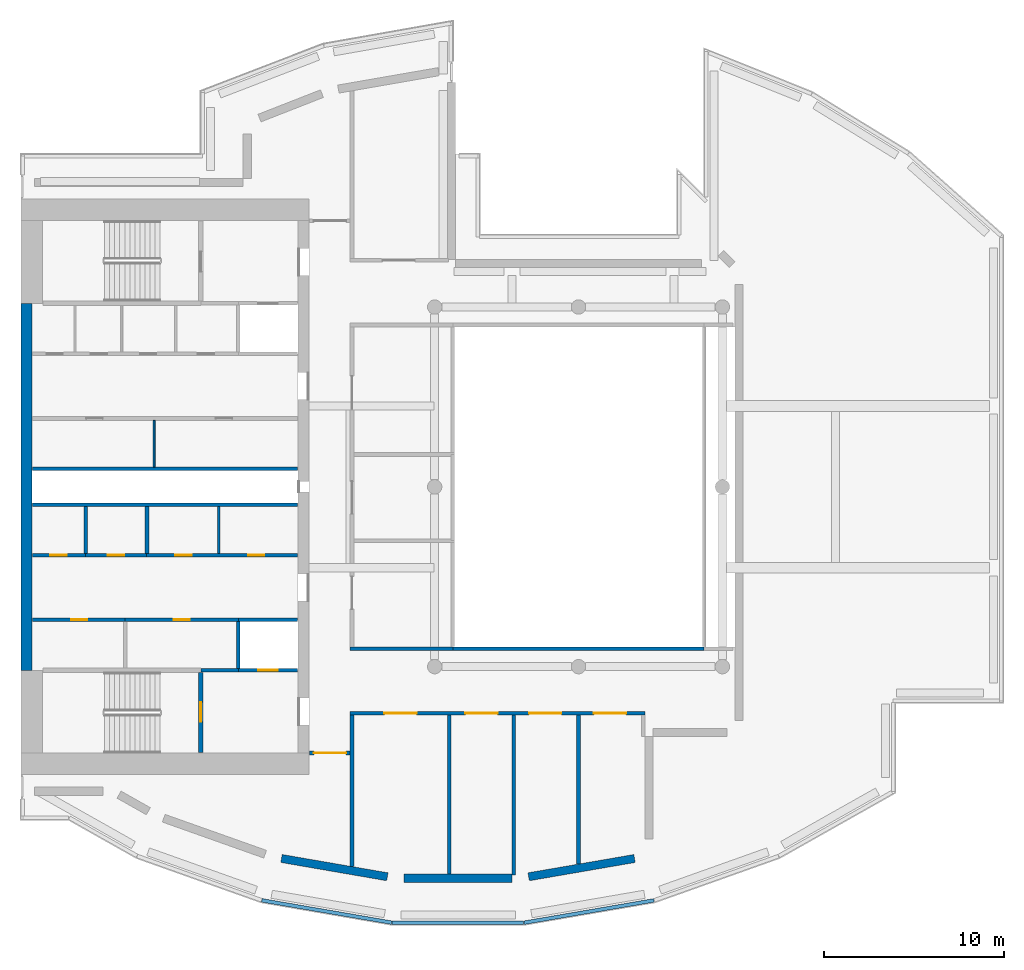
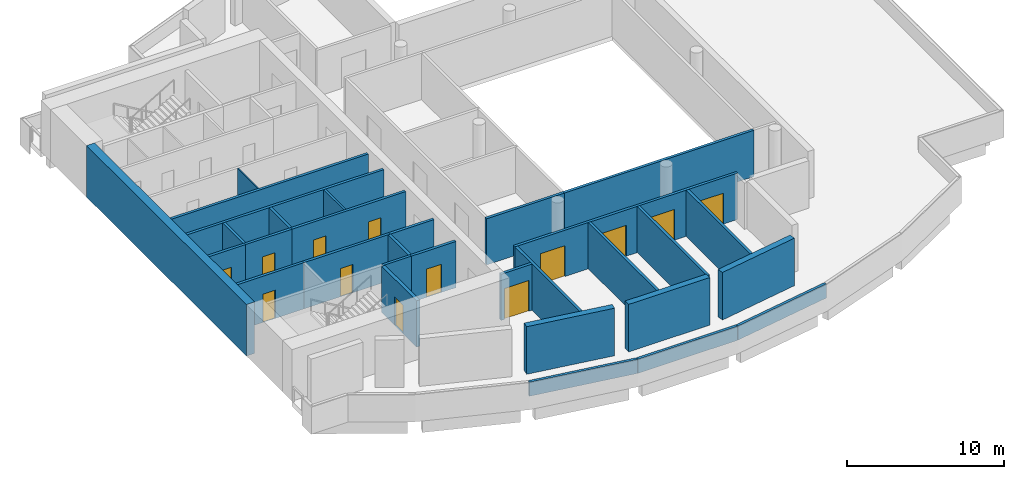
# One storey, part 2 of 8: 31 walls, 13 doors, 13 openings.
"""IFC4 building model written with IfcOpenShell, lengths in metres."""

from ifc_helpers import new_model, si_unit, direction, frame, frame_2d, origin, place, context, subcontext, project, spatial, rectangle, extrude, material, layer, layer_set, type_object, element, fill, save


model = new_model("IFC4")

# Units and contexts
model_context = context("Model", 3, precision=1e-05, world=origin(), true_north=direction((0.0, 1.0)))
body_context = subcontext(model_context, "Body", "Model", "MODEL_VIEW")
ifc_project = project(units=[si_unit("LENGTHUNIT", "METRE"), si_unit("AREAUNIT", "SQUARE_METRE"), si_unit("VOLUMEUNIT", "CUBIC_METRE"), si_unit("PLANEANGLEUNIT", "RADIAN"), si_unit("MASSUNIT", "GRAM", prefix="KILO")], contexts=[model_context])

# Site, building, storey
site_placement = place(None, origin())
site = spatial("IfcSite", under=ifc_project, at=site_placement, CompositionType="ELEMENT")
building_placement = place(site_placement, origin())
building = spatial("IfcBuilding", under=site, at=building_placement, Name="Cypress Arch Tower", CompositionType="ELEMENT")
storey_placement = place(building_placement, frame((0.0, 0.0, 343.0)))
storey = spatial("IfcBuildingStorey", under=building, at=storey_placement, Name="L78", CompositionType="ELEMENT", Elevation=343.0)

# Walls
ifc_material_1 = material(Name="Brick (red buff blend)", Category="masonry")
ifc_layer_1 = layer(ifc_material_1, 0.449951171875)
ifc_layer_set_1 = layer_set([ifc_layer_1], Name="Brick belt wall BW450-B")
wall_type_1 = type_object("IfcWallType", Name="Brick belt wall BW450-B", PredefinedType="SOLIDWALL", material=ifc_layer_set_1)
wall_1_placement = place(storey_placement, frame((-15.5185546875, -20.6669921875, 0.0), z_axis=(0.0, 0.0, 1.0), x_axis=(0.985396567064, -0.170275088074, 0.0)))
element("IfcWall", 1, at=wall_1_placement, inside=storey, type_object=wall_type_1, Name="Brick wall L78 K03.0", PredefinedType="SOLIDWALL", context=body_context, shape_type="SweptSolid", body=[
    extrude(rectangle(XDim=5.97314453125, YDim=0.449951171875, at=frame_2d((2.986572265625, 0.0))), origin(), (0.0, 0.0, 1.0), 3.699951171875),
])
wall_2_placement = place(storey_placement, frame((-8.6943359375, -21.764892578125, 0.0), z_axis=(0.0, 0.0, 1.0), x_axis=(1.0, 0.0, 0.0)))
element("IfcWall", 2, at=wall_2_placement, inside=storey, type_object=wall_type_1, Name="Brick wall L78 K04.0", PredefinedType="SOLIDWALL", context=body_context, shape_type="SweptSolid", body=[
    extrude(rectangle(XDim=5.98193359375, YDim=0.449951171875, at=frame_2d((2.990966796875, 0.0))), origin(), (0.0, 0.0, 1.0), 3.699951171875),
])
wall_3_placement = place(storey_placement, frame((-1.77392578125, -21.68505859375, 0.0), z_axis=(0.0, 0.0, 1.0), x_axis=(0.985403424257, 0.170235400142, 0.0)))
element("IfcWall", 3, at=wall_3_placement, inside=storey, type_object=wall_type_1, Name="Brick wall L78 K05.0", PredefinedType="SOLIDWALL", context=body_context, shape_type="SweptSolid", body=[
    extrude(rectangle(XDim=5.97314453125, YDim=0.449951171875, at=frame_2d((2.986572265625, 0.0))), origin(), (0.0, 0.0, 1.0), 3.699951171875),
])
ifc_material_2 = material(Name="Concrete C50/60", Category="concrete")
ifc_layer_2 = layer(ifc_material_2, 0.60009765625)
ifc_layer_set_2 = layer_set([ifc_layer_2], Name="Core wall CW600 C50/60")
wall_type_2 = type_object("IfcWallType", Name="Core wall CW600 C50/60", PredefinedType="SHEAR", material=ifc_layer_set_2)
wall_4_placement = place(storey_placement, frame((-29.699951171875, -10.199951171875, 0.0), z_axis=(0.0, 0.0, 1.0), x_axis=(0.0, 1.0, 0.0)))
element("IfcWall", 4, at=wall_4_placement, inside=storey, type_object=wall_type_2, Name="Core wall", PredefinedType="SHEAR", context=body_context, shape_type="SweptSolid", body=[
    extrude(rectangle(XDim=20.39990234375, YDim=0.60009765625, at=frame_2d((10.199951171875, 0.0))), origin(), (0.0, 0.0, 1.0), 4.0),
])

# Wall, opening, door
ifc_material_3 = material(Name="Concrete blockwork, plastered, rated", Category="masonry")
ifc_layer_3 = layer(ifc_material_3, 0.199951171875)
ifc_layer_set_3 = layer_set([ifc_layer_3], Name="Corridor wall FW200")
wall_type_3 = type_object("IfcWallType", Name="Corridor wall FW200", PredefinedType="PARTITIONING", material=ifc_layer_set_3)
wall_5_placement = place(storey_placement, frame((-29.3701171875, -7.39990234375, 0.0), z_axis=(0.0, 0.0, 1.0), x_axis=(1.0, 0.0, 0.0)))
wall_5 = element("IfcWall", 5, at=wall_5_placement, inside=storey, type_object=wall_type_3, Name="Corridor wall", PredefinedType="PARTITIONING", context=body_context, shape_type="SweptSolid", body=[
    extrude(rectangle(XDim=5.150146484375, YDim=0.199951171875, at=frame_2d((2.5751953125, 0.0))), origin(), (0.0, 0.0, 1.0), 3.597900390625),
])
opening_1_placement = place(wall_5_placement, frame((2.14990234375, 0.0, 0.0)))
opening_1 = element("IfcOpeningElement", 6, at=opening_1_placement, cuts=wall_5, Name="Opening D05", PredefinedType="OPENING", context=body_context, shape_type="SweptSolid", body=[
    extrude(rectangle(XDim=0.89990234375, YDim=2.199951171875, at=frame_2d((0.449951171875, 1.10009765625))), frame((0.0, 0.10986328125, 0.0), z_axis=(0.0, -1.0, 0.0), x_axis=(1.0, 0.0, 0.0)), (0.0, 0.0, 1.0), 0.219970703125),
])
ifc_material_4 = material(Name="Timber flush door", Category="wood")
door_type_1 = type_object("IfcDoorType", Name="Service door D05 900x2200", OperationType="SINGLE_SWING_LEFT", PredefinedType="DOOR", material=ifc_material_4)
door_1_placement = place(opening_1_placement, origin())
door_1 = element("IfcDoor", 7, at=door_1_placement, inside=storey, type_object=door_type_1, Name="Service door", OperationType="SINGLE_SWING_LEFT", OverallHeight=2.199951171875, OverallWidth=0.89990234375, PredefinedType="DOOR", context=body_context, shape_type="SweptSolid", body=[
    extrude(rectangle(XDim=0.89990234375, YDim=2.199951171875, at=frame_2d((0.449951171875, 1.10009765625))), frame((0.0, 0.02490234375, 0.0), z_axis=(0.0, -1.0, 0.0), x_axis=(1.0, 0.0, 0.0)), (0.0, 0.0, 1.0), 0.050048828125),
])
fill(opening_1, door_1)

wall_6_placement = place(storey_placement, frame((-29.3701171875, -3.800048828125, 0.0), z_axis=(0.0, 0.0, 1.0), x_axis=(1.0, 0.0, 0.0)))
wall_6 = element("IfcWall", 8, at=wall_6_placement, inside=storey, type_object=wall_type_3, Name="Corridor wall", PredefinedType="PARTITIONING", context=body_context, shape_type="SweptSolid", body=[
    extrude(rectangle(XDim=2.9501953125, YDim=0.199951171875, at=frame_2d((1.47509765625, 0.0))), origin(), (0.0, 0.0, 1.0), 3.597900390625),
])
opening_2_placement = place(wall_6_placement, frame((1.0, 0.0, 0.0)))
opening_2 = element("IfcOpeningElement", 9, at=opening_2_placement, cuts=wall_6, Name="Opening D05", PredefinedType="OPENING", context=body_context, shape_type="SweptSolid", body=[
    extrude(rectangle(XDim=0.89990234375, YDim=2.199951171875, at=frame_2d((0.449951171875, 1.10009765625))), frame((0.0, 0.10986328125, 0.0), z_axis=(0.0, -1.0, 0.0), x_axis=(1.0, 0.0, 0.0)), (0.0, 0.0, 1.0), 0.219970703125),
])
door_2_placement = place(opening_2_placement, origin())
door_2 = element("IfcDoor", 10, at=door_2_placement, inside=storey, type_object=door_type_1, Name="Service door", OperationType="SINGLE_SWING_RIGHT", OverallHeight=2.199951171875, OverallWidth=0.89990234375, PredefinedType="DOOR", context=body_context, shape_type="SweptSolid", body=[
    extrude(rectangle(XDim=0.89990234375, YDim=2.199951171875, at=frame_2d((0.449951171875, 1.10009765625))), frame((0.0, 0.02490234375, 0.0), z_axis=(0.0, -1.0, 0.0), x_axis=(1.0, 0.0, 0.0)), (0.0, 0.0, 1.0), 0.050048828125),
])
fill(opening_2, door_2)

# Wall, openings, doors
wall_7_placement = place(storey_placement, frame((-23.02001953125, -3.800048828125, 0.0), z_axis=(0.0, 0.0, 1.0), x_axis=(1.0, 0.0, 0.0)))
wall_7 = element("IfcWall", 11, at=wall_7_placement, inside=storey, type_object=wall_type_3, Name="Corridor wall", PredefinedType="PARTITIONING", context=body_context, shape_type="SweptSolid", body=[
    extrude(rectangle(XDim=8.39013671875, YDim=0.199951171875, at=frame_2d((4.195068359375, 0.0))), origin(), (0.0, 0.0, 1.0), 3.597900390625),
])
opening_3_placement = place(wall_7_placement, frame((1.60009765625, 0.0, 0.0)))
opening_3 = element("IfcOpeningElement", 12, at=opening_3_placement, cuts=wall_7, Name="Opening D05", PredefinedType="OPENING", context=body_context, shape_type="SweptSolid", body=[
    extrude(rectangle(XDim=0.89990234375, YDim=2.199951171875, at=frame_2d((0.449951171875, 1.10009765625))), frame((0.0, 0.10986328125, 0.0), z_axis=(0.0, -1.0, 0.0), x_axis=(1.0, 0.0, 0.0)), (0.0, 0.0, 1.0), 0.219970703125),
])
opening_4_placement = place(wall_7_placement, frame((5.64990234375, 0.0, 0.0)))
opening_4 = element("IfcOpeningElement", 13, at=opening_4_placement, cuts=wall_7, Name="Opening D05", PredefinedType="OPENING", context=body_context, shape_type="SweptSolid", body=[
    extrude(rectangle(XDim=0.89990234375, YDim=2.199951171875, at=frame_2d((0.449951171875, 1.10009765625))), frame((0.0, 0.10986328125, 0.0), z_axis=(0.0, -1.0, 0.0), x_axis=(1.0, 0.0, 0.0)), (0.0, 0.0, 1.0), 0.219970703125),
])
door_3_placement = place(opening_3_placement, origin())
door_3 = element("IfcDoor", 14, at=door_3_placement, inside=storey, type_object=door_type_1, Name="Service door", OperationType="SINGLE_SWING_RIGHT", OverallHeight=2.199951171875, OverallWidth=0.89990234375, PredefinedType="DOOR", context=body_context, shape_type="SweptSolid", body=[
    extrude(rectangle(XDim=0.89990234375, YDim=2.199951171875, at=frame_2d((0.449951171875, 1.10009765625))), frame((0.0, 0.02490234375, 0.0), z_axis=(0.0, -1.0, 0.0), x_axis=(1.0, 0.0, 0.0)), (0.0, 0.0, 1.0), 0.050048828125),
])
fill(opening_3, door_3)
door_4_placement = place(opening_4_placement, origin())
door_4 = element("IfcDoor", 15, at=door_4_placement, inside=storey, type_object=door_type_1, Name="Service door", OperationType="SINGLE_SWING_LEFT", OverallHeight=2.199951171875, OverallWidth=0.89990234375, PredefinedType="DOOR", context=body_context, shape_type="SweptSolid", body=[
    extrude(rectangle(XDim=0.89990234375, YDim=2.199951171875, at=frame_2d((0.449951171875, 1.10009765625))), frame((0.0, 0.02490234375, 0.0), z_axis=(0.0, -1.0, 0.0), x_axis=(1.0, 0.0, 0.0)), (0.0, 0.0, 1.0), 0.050048828125),
])
fill(opening_4, door_4)

# Walls
wall_8_placement = place(storey_placement, frame((-5.97998046875, -9.0, 0.0), z_axis=(0.0, 0.0, 1.0), x_axis=(1.0, 0.0, 0.0)))
element("IfcWall", 16, at=wall_8_placement, inside=storey, type_object=wall_type_3, Name="Corridor wall", PredefinedType="PARTITIONING", context=body_context, shape_type="SweptSolid", body=[
    extrude(rectangle(XDim=13.9599609375, YDim=0.199951171875, at=frame_2d((6.97998046875, 0.0))), origin(), (0.0, 0.0, 1.0), 3.597900390625),
])
ifc_material_5 = material(Name="Blockwork, plastered both sides", Category="masonry")
ifc_layer_4 = layer(ifc_material_5, 0.14990234375)
ifc_layer_set_4 = layer_set([ifc_layer_4], Name="Partition PW150")
wall_type_4 = type_object("IfcWallType", Name="Partition PW150", PredefinedType="PARTITIONING", material=ifc_layer_set_4)
wall_9_placement = place(storey_placement, frame((-19.0, -3.699951171875, 0.0), z_axis=(0.0, 0.0, 1.0), x_axis=(0.0, 1.0, 0.0)))
element("IfcWall", 17, at=wall_9_placement, inside=storey, type_object=wall_type_4, Name="Partition", PredefinedType="PARTITIONING", context=body_context, shape_type="SweptSolid", body=[
    extrude(rectangle(XDim=2.599853515625, YDim=0.14990234375, at=frame_2d((1.2998046875, 0.0))), origin(), (0.0, 0.0, 1.0), 3.597900390625),
])
ifc_material_6 = material(Name="Reinforced blockwork, plastered, rated", Category="masonry")
ifc_layer_5 = layer(ifc_material_6, 0.199951171875)
ifc_layer_set_5 = layer_set([ifc_layer_5], Name="Plant and riser wall PL200")
wall_type_5 = type_object("IfcWallType", Name="Plant and riser wall PL200", PredefinedType="PARTITIONING", material=ifc_layer_set_5)
for number, where, z_axis, x_axis, name in (
    (18, (-29.3701171875, -1.0, 0.0), (0.0, 0.0, 1.0), (1.0, 0.0, 0.0), "Plant and riser wall"),
    (19, (-29.3701171875, 1.0, 0.0), (0.0, 0.0, 1.0), (1.0, 0.0, 0.0), "Plant and riser wall"),
):
    element("IfcWall", number, at=place(storey_placement, frame(where, z_axis=z_axis, x_axis=x_axis)), inside=storey, type_object=wall_type_5, Name=name, PredefinedType="PARTITIONING", context=body_context, shape_type="SweptSolid", body=[
        extrude(rectangle(XDim=14.740234375, YDim=0.199951171875, at=frame_2d((7.3701171875, 0.0))), origin(), (0.0, 0.0, 1.0), 3.597900390625),
    ])

# Wall, opening, door
wall_10_placement = place(storey_placement, frame((-26.419921875, -3.800048828125, 0.0), z_axis=(0.0, 0.0, 1.0), x_axis=(1.0, 0.0, 0.0)))
wall_10 = element("IfcWall", 20, at=wall_10_placement, inside=storey, type_object=wall_type_5, Name="Plant and riser wall", PredefinedType="PARTITIONING", context=body_context, shape_type="SweptSolid", body=[
    extrude(rectangle(XDim=3.39990234375, YDim=0.199951171875, at=frame_2d((1.699951171875, 0.0))), origin(), (0.0, 0.0, 1.0), 3.597900390625),
])
opening_5_placement = place(wall_10_placement, frame((1.25, 0.0, 0.0)))
opening_5 = element("IfcOpeningElement", 21, at=opening_5_placement, cuts=wall_10, Name="Opening D05", PredefinedType="OPENING", context=body_context, shape_type="SweptSolid", body=[
    extrude(rectangle(XDim=0.89990234375, YDim=2.199951171875, at=frame_2d((0.449951171875, 1.10009765625))), frame((0.0, 0.10986328125, 0.0), z_axis=(0.0, -1.0, 0.0), x_axis=(1.0, 0.0, 0.0)), (0.0, 0.0, 1.0), 0.219970703125),
])
door_5_placement = place(opening_5_placement, origin())
door_5 = element("IfcDoor", 22, at=door_5_placement, inside=storey, type_object=door_type_1, Name="Service door", OperationType="SINGLE_SWING_LEFT", OverallHeight=2.199951171875, OverallWidth=0.89990234375, PredefinedType="DOOR", context=body_context, shape_type="SweptSolid", body=[
    extrude(rectangle(XDim=0.89990234375, YDim=2.199951171875, at=frame_2d((0.449951171875, 1.10009765625))), frame((0.0, 0.02490234375, 0.0), z_axis=(0.0, -1.0, 0.0), x_axis=(1.0, 0.0, 0.0)), (0.0, 0.0, 1.0), 0.050048828125),
])
fill(opening_5, door_5)

# Wall
wall_11_placement = place(storey_placement, frame((-26.39990234375, -3.699951171875, 0.0), z_axis=(0.0, 0.0, 1.0), x_axis=(0.0, 1.0, 0.0)))
element("IfcWall", 23, at=wall_11_placement, inside=storey, type_object=wall_type_5, Name="Plant and riser wall", PredefinedType="PARTITIONING", context=body_context, shape_type="SweptSolid", body=[
    extrude(rectangle(XDim=2.599853515625, YDim=0.199951171875, at=frame_2d((1.2998046875, 0.0))), origin(), (0.0, 0.0, 1.0), 3.597900390625),
])

# Wall, opening, door
wall_12_placement = place(storey_placement, frame((-24.219970703125, -7.39990234375, 0.0), z_axis=(0.0, 0.0, 1.0), x_axis=(1.0, 0.0, 0.0)))
wall_12 = element("IfcWall", 24, at=wall_12_placement, inside=storey, type_object=wall_type_5, Name="Plant and riser wall", PredefinedType="PARTITIONING", context=body_context, shape_type="SweptSolid", body=[
    extrude(rectangle(XDim=6.320068359375, YDim=0.199951171875, at=frame_2d((3.16015625, 0.0))), origin(), (0.0, 0.0, 1.0), 3.597900390625),
])
opening_6_placement = place(wall_12_placement, frame((2.699951171875, 0.0, 0.0)))
opening_6 = element("IfcOpeningElement", 25, at=opening_6_placement, cuts=wall_12, Name="Opening D05", PredefinedType="OPENING", context=body_context, shape_type="SweptSolid", body=[
    extrude(rectangle(XDim=0.89990234375, YDim=2.199951171875, at=frame_2d((0.449951171875, 1.10009765625))), frame((0.0, 0.10986328125, 0.0), z_axis=(0.0, -1.0, 0.0), x_axis=(1.0, 0.0, 0.0)), (0.0, 0.0, 1.0), 0.219970703125),
])
door_6_placement = place(opening_6_placement, origin())
door_6 = element("IfcDoor", 26, at=door_6_placement, inside=storey, type_object=door_type_1, Name="Service door", OperationType="SINGLE_SWING_RIGHT", OverallHeight=2.199951171875, OverallWidth=0.89990234375, PredefinedType="DOOR", context=body_context, shape_type="SweptSolid", body=[
    extrude(rectangle(XDim=0.89990234375, YDim=2.199951171875, at=frame_2d((0.449951171875, 1.10009765625))), frame((0.0, 0.02490234375, 0.0), z_axis=(0.0, -1.0, 0.0), x_axis=(1.0, 0.0, 0.0)), (0.0, 0.0, 1.0), 0.050048828125),
])
fill(opening_6, door_6)

# Walls
wall_13_placement = place(storey_placement, frame((-23.0, -3.699951171875, 0.0), z_axis=(0.0, 0.0, 1.0), x_axis=(0.0, 1.0, 0.0)))
element("IfcWall", 27, at=wall_13_placement, inside=storey, type_object=wall_type_5, Name="Plant and riser wall", PredefinedType="PARTITIONING", context=body_context, shape_type="SweptSolid", body=[
    extrude(rectangle(XDim=2.599853515625, YDim=0.199951171875, at=frame_2d((1.2998046875, 0.0))), origin(), (0.0, 0.0, 1.0), 3.597900390625),
])
wall_14_placement = place(storey_placement, frame((-20.0, -10.199951171875, 0.0), z_axis=(0.0, 0.0, 1.0), x_axis=(1.0, 0.0, 0.0)))
element("IfcWall", 28, at=wall_14_placement, inside=storey, type_object=wall_type_5, Name="Plant and riser wall", PredefinedType="PARTITIONING", context=body_context, shape_type="SweptSolid", body=[
    extrude(rectangle(XDim=2.080078125, YDim=0.199951171875, at=frame_2d((1.0400390625, 0.0))), origin(), (0.0, 0.0, 1.0), 3.597900390625),
])

# Wall, opening, door
wall_15_placement = place(storey_placement, frame((-13.969970703125, -14.800048828125, 0.0), z_axis=(0.0, 0.0, 1.0), x_axis=(1.0, 0.0, 0.0)))
wall_15 = element("IfcWall", 29, at=wall_15_placement, inside=storey, type_object=wall_type_5, Name="Plant and riser wall", PredefinedType="PARTITIONING", context=body_context, shape_type="SweptSolid", body=[
    extrude(rectangle(XDim=2.27001953125, YDim=0.199951171875, at=frame_2d((1.135009765625, 0.0))), origin(), (0.0, 0.0, 1.0), 3.597900390625),
])
opening_7_placement = place(wall_15_placement, frame((0.25, 0.0, 0.0)))
opening_7 = element("IfcOpeningElement", 30, at=opening_7_placement, cuts=wall_15, Name="Opening D09", PredefinedType="OPENING", context=body_context, shape_type="SweptSolid", body=[
    extrude(rectangle(XDim=1.800048828125, YDim=2.39990234375, at=frame_2d((0.89990234375, 1.199951171875))), frame((0.0, 0.10986328125, 0.0), z_axis=(0.0, -1.0, 0.0), x_axis=(1.0, 0.0, 0.0)), (0.0, 0.0, 1.0), 0.219970703125),
])
ifc_material_7 = material(Name="Steel door, fire resisting", Category="steel")
door_type_2 = type_object("IfcDoorType", Name="Plant room door D09 1800x2400", OperationType="DOUBLE_DOOR_SINGLE_SWING", PredefinedType="DOOR", material=ifc_material_7)
door_7_placement = place(opening_7_placement, origin())
door_7 = element("IfcDoor", 31, at=door_7_placement, inside=storey, type_object=door_type_2, Name="Plant room door", OperationType="DOUBLE_DOOR_SINGLE_SWING", OverallHeight=2.39990234375, OverallWidth=1.800048828125, PredefinedType="DOOR", context=body_context, shape_type="SweptSolid", body=[
    extrude(rectangle(XDim=1.800048828125, YDim=2.39990234375, at=frame_2d((0.89990234375, 1.199951171875))), frame((0.0, 0.02490234375, 0.0), z_axis=(0.0, -1.0, 0.0), x_axis=(1.0, 0.0, 0.0)), (0.0, 0.0, 1.0), 0.050048828125),
])
fill(opening_7, door_7)

# Wall
wall_16_placement = place(storey_placement, frame((-11.60009765625, -21.11572265625, 0.0), z_axis=(0.0, 0.0, 1.0), x_axis=(0.0, 1.0, 0.0)))
element("IfcWall", 32, at=wall_16_placement, inside=storey, type_object=wall_type_5, Name="Plant and riser wall", PredefinedType="PARTITIONING", context=body_context, shape_type="SweptSolid", body=[
    extrude(rectangle(XDim=8.414794921875, YDim=0.199951171875, at=frame_2d((4.20751953125, 0.0))), origin(), (0.0, 0.0, 1.0), 3.597900390625),
])

# Wall, openings, doors
wall_17_placement = place(storey_placement, frame((-11.698974609375, -12.60009765625, 0.0), z_axis=(0.0, 0.0, 1.0), x_axis=(1.0, 0.0, 0.0)))
wall_17 = element("IfcWall", 33, at=wall_17_placement, inside=storey, type_object=wall_type_5, Name="Plant and riser wall", PredefinedType="PARTITIONING", context=body_context, shape_type="SweptSolid", body=[
    extrude(rectangle(XDim=16.39794921875, YDim=0.199951171875, at=frame_2d((8.198974609375, 0.0))), origin(), (0.0, 0.0, 1.0), 3.597900390625),
])
opening_8_placement = place(wall_17_placement, frame((1.89990234375, 0.0, 0.0)))
opening_8 = element("IfcOpeningElement", 34, at=opening_8_placement, cuts=wall_17, Name="Opening D09", PredefinedType="OPENING", context=body_context, shape_type="SweptSolid", body=[
    extrude(rectangle(XDim=1.800048828125, YDim=2.39990234375, at=frame_2d((0.89990234375, 1.199951171875))), frame((0.0, 0.10986328125, 0.0), z_axis=(0.0, -1.0, 0.0), x_axis=(1.0, 0.0, 0.0)), (0.0, 0.0, 1.0), 0.219970703125),
])
opening_9_placement = place(wall_17_placement, frame((6.39990234375, 0.0, 0.0)))
opening_9 = element("IfcOpeningElement", 35, at=opening_9_placement, cuts=wall_17, Name="Opening D09", PredefinedType="OPENING", context=body_context, shape_type="SweptSolid", body=[
    extrude(rectangle(XDim=1.800048828125, YDim=2.39990234375, at=frame_2d((0.89990234375, 1.199951171875))), frame((0.0, 0.10986328125, 0.0), z_axis=(0.0, -1.0, 0.0), x_axis=(1.0, 0.0, 0.0)), (0.0, 0.0, 1.0), 0.219970703125),
])
opening_10_placement = place(wall_17_placement, frame((9.949951171875, 0.0, 0.0)))
opening_10 = element("IfcOpeningElement", 36, at=opening_10_placement, cuts=wall_17, Name="Opening D09", PredefinedType="OPENING", context=body_context, shape_type="SweptSolid", body=[
    extrude(rectangle(XDim=1.800048828125, YDim=2.39990234375, at=frame_2d((0.89990234375, 1.199951171875))), frame((0.0, 0.10986328125, 0.0), z_axis=(0.0, -1.0, 0.0), x_axis=(1.0, 0.0, 0.0)), (0.0, 0.0, 1.0), 0.219970703125),
])
opening_11_placement = place(wall_17_placement, frame((13.550048828125, 0.0, 0.0)))
opening_11 = element("IfcOpeningElement", 37, at=opening_11_placement, cuts=wall_17, Name="Opening D09", PredefinedType="OPENING", context=body_context, shape_type="SweptSolid", body=[
    extrude(rectangle(XDim=1.800048828125, YDim=2.39990234375, at=frame_2d((0.89990234375, 1.199951171875))), frame((0.0, 0.10986328125, 0.0), z_axis=(0.0, -1.0, 0.0), x_axis=(1.0, 0.0, 0.0)), (0.0, 0.0, 1.0), 0.219970703125),
])
door_8_placement = place(opening_8_placement, origin())
door_8 = element("IfcDoor", 38, at=door_8_placement, inside=storey, type_object=door_type_2, Name="Plant room door", OperationType="DOUBLE_DOOR_SINGLE_SWING", OverallHeight=2.39990234375, OverallWidth=1.800048828125, PredefinedType="DOOR", context=body_context, shape_type="SweptSolid", body=[
    extrude(rectangle(XDim=1.800048828125, YDim=2.39990234375, at=frame_2d((0.89990234375, 1.199951171875))), frame((0.0, 0.02490234375, 0.0), z_axis=(0.0, -1.0, 0.0), x_axis=(1.0, 0.0, 0.0)), (0.0, 0.0, 1.0), 0.050048828125),
])
fill(opening_8, door_8)
door_9_placement = place(opening_9_placement, origin())
door_9 = element("IfcDoor", 39, at=door_9_placement, inside=storey, type_object=door_type_2, Name="Plant room door", OperationType="DOUBLE_DOOR_SINGLE_SWING", OverallHeight=2.39990234375, OverallWidth=1.800048828125, PredefinedType="DOOR", context=body_context, shape_type="SweptSolid", body=[
    extrude(rectangle(XDim=1.800048828125, YDim=2.39990234375, at=frame_2d((0.89990234375, 1.199951171875))), frame((0.0, 0.02490234375, 0.0), z_axis=(0.0, -1.0, 0.0), x_axis=(1.0, 0.0, 0.0)), (0.0, 0.0, 1.0), 0.050048828125),
])
fill(opening_9, door_9)
door_10_placement = place(opening_10_placement, origin())
door_10 = element("IfcDoor", 40, at=door_10_placement, inside=storey, type_object=door_type_2, Name="Plant room door", OperationType="DOUBLE_DOOR_SINGLE_SWING", OverallHeight=2.39990234375, OverallWidth=1.800048828125, PredefinedType="DOOR", context=body_context, shape_type="SweptSolid", body=[
    extrude(rectangle(XDim=1.800048828125, YDim=2.39990234375, at=frame_2d((0.89990234375, 1.199951171875))), frame((0.0, 0.02490234375, 0.0), z_axis=(0.0, -1.0, 0.0), x_axis=(1.0, 0.0, 0.0)), (0.0, 0.0, 1.0), 0.050048828125),
])
fill(opening_10, door_10)
door_11_placement = place(opening_11_placement, origin())
door_11 = element("IfcDoor", 41, at=door_11_placement, inside=storey, type_object=door_type_2, Name="Plant room door", OperationType="DOUBLE_DOOR_SINGLE_SWING", OverallHeight=2.39990234375, OverallWidth=1.800048828125, PredefinedType="DOOR", context=body_context, shape_type="SweptSolid", body=[
    extrude(rectangle(XDim=1.800048828125, YDim=2.39990234375, at=frame_2d((0.89990234375, 1.199951171875))), frame((0.0, 0.02490234375, 0.0), z_axis=(0.0, -1.0, 0.0), x_axis=(1.0, 0.0, 0.0)), (0.0, 0.0, 1.0), 0.050048828125),
])
fill(opening_11, door_11)

# Walls
wall_18_placement = place(storey_placement, frame((-11.698974609375, -9.0, 0.0), z_axis=(0.0, 0.0, 1.0), x_axis=(1.0, 0.0, 0.0)))
element("IfcWall", 42, at=wall_18_placement, inside=storey, type_object=wall_type_5, Name="Plant and riser wall", PredefinedType="PARTITIONING", context=body_context, shape_type="SweptSolid", body=[
    extrude(rectangle(XDim=5.718994140625, YDim=0.199951171875, at=frame_2d((2.859375, 0.0))), origin(), (0.0, 0.0, 1.0), 3.597900390625),
])
wall_19_placement = place(storey_placement, frame((-6.199951171875, -21.5400390625, 0.0), z_axis=(0.0, 0.0, 1.0), x_axis=(0.0, 1.0, 0.0)))
element("IfcWall", 43, at=wall_19_placement, inside=storey, type_object=wall_type_5, Name="Plant and riser wall", PredefinedType="PARTITIONING", context=body_context, shape_type="SweptSolid", body=[
    extrude(rectangle(XDim=8.840087890625, YDim=0.199951171875, at=frame_2d((4.419921875, 0.0))), origin(), (0.0, 0.0, 1.0), 3.597900390625),
])
wall_20_placement = place(storey_placement, frame((-2.60009765625, -21.594970703125, 0.0), z_axis=(0.0, 0.0, 1.0), x_axis=(0.0, 1.0, 0.0)))
element("IfcWall", 44, at=wall_20_placement, inside=storey, type_object=wall_type_5, Name="Plant and riser wall", PredefinedType="PARTITIONING", context=body_context, shape_type="SweptSolid", body=[
    extrude(rectangle(XDim=8.89501953125, YDim=0.199951171875, at=frame_2d((4.447509765625, 0.0))), origin(), (0.0, 0.0, 1.0), 3.597900390625),
])
wall_21_placement = place(storey_placement, frame((1.0, -20.9775390625, 0.0), z_axis=(0.0, 0.0, 1.0), x_axis=(0.0, 1.0, 0.0)))
element("IfcWall", 45, at=wall_21_placement, inside=storey, type_object=wall_type_5, Name="Plant and riser wall", PredefinedType="PARTITIONING", context=body_context, shape_type="SweptSolid", body=[
    extrude(rectangle(XDim=8.277587890625, YDim=0.199951171875, at=frame_2d((4.138671875, 0.0))), origin(), (0.0, 0.0, 1.0), 3.597900390625),
])
ifc_material_8 = material(Name="Concrete C40/50", Category="concrete")
ifc_layer_6 = layer(ifc_material_8, 0.199951171875)
ifc_layer_set_6 = layer_set([ifc_layer_6], Name="Roof parapet 200 Concrete C40/50")
wall_type_6 = type_object("IfcWallType", Name="Roof parapet 200 Concrete C40/50", PredefinedType="SOLIDWALL", material=ifc_layer_set_6)
wall_22_placement = place(storey_placement, frame((5.19482421875, -22.996337890625, 0.0), z_axis=(0.0, 0.0, 1.0), x_axis=(-0.985500281522, -0.169673790316, 0.0)))
element("IfcWall", 46, at=wall_22_placement, inside=storey, type_object=wall_type_6, Name="Roof parapet L78 12", PredefinedType="SOLIDWALL", context=body_context, shape_type="SweptSolid", body=[
    extrude(rectangle(XDim=7.32958984375, YDim=0.199951171875, at=frame_2d((3.664794921875, 0.0))), origin(), (0.0, 0.0, 1.0), 1.10009765625),
])
wall_23_placement = place(storey_placement, frame((-2.048583984375, -24.239990234375, 0.0), z_axis=(0.0, 0.0, 1.0), x_axis=(-1.0, 0.0, 0.0)))
element("IfcWall", 47, at=wall_23_placement, inside=storey, type_object=wall_type_6, Name="Roof parapet L78 13", PredefinedType="SOLIDWALL", context=body_context, shape_type="SweptSolid", body=[
    extrude(rectangle(XDim=7.32275390625, YDim=0.199951171875, at=frame_2d((3.661376953125, 0.0))), origin(), (0.0, 0.0, 1.0), 1.10009765625),
])
wall_24_placement = place(storey_placement, frame((-9.39111328125, -24.236572265625, 0.0), z_axis=(0.0, 0.0, 1.0), x_axis=(-0.985500281522, 0.169673790316, 0.0)))
element("IfcWall", 48, at=wall_24_placement, inside=storey, type_object=wall_type_6, Name="Roof parapet L78 14", PredefinedType="SOLIDWALL", context=body_context, shape_type="SweptSolid", body=[
    extrude(rectangle(XDim=7.32958984375, YDim=0.199951171875, at=frame_2d((3.664794921875, 0.0))), origin(), (0.0, 0.0, 1.0), 1.10009765625),
])
ifc_material_9 = material(Name="Concrete C50/60", Category="concrete")
ifc_layer_7 = layer(ifc_material_9, 0.199951171875)
ifc_layer_set_7 = layer_set([ifc_layer_7], Name="Shaft wall SH200")
wall_type_7 = type_object("IfcWallType", Name="Shaft wall SH200", PredefinedType="SHEAR", material=ifc_layer_set_7)
wall_25_placement = place(storey_placement, frame((-17.919921875, -10.10009765625, 0.0), z_axis=(0.0, 0.0, 1.0), x_axis=(0.0, 1.0, 0.0)))
element("IfcWall", 49, at=wall_25_placement, inside=storey, type_object=wall_type_7, Name="Shaft wall", PredefinedType="SHEAR", context=body_context, shape_type="SweptSolid", body=[
    extrude(rectangle(XDim=2.60009765625, YDim=0.199951171875, at=frame_2d((1.300048828125, 0.0))), origin(), (0.0, 0.0, 1.0), 3.597900390625),
])

# Wall, opening, door
wall_26_placement = place(storey_placement, frame((-17.919921875, -10.199951171875, 0.0), z_axis=(0.0, 0.0, 1.0), x_axis=(1.0, 0.0, 0.0)))
wall_26 = element("IfcWall", 50, at=wall_26_placement, inside=storey, type_object=wall_type_7, Name="Shaft wall", PredefinedType="SHEAR", context=body_context, shape_type="SweptSolid", body=[
    extrude(rectangle(XDim=3.2900390625, YDim=0.199951171875, at=frame_2d((1.64501953125, 0.0))), origin(), (0.0, 0.0, 1.0), 3.597900390625),
])
opening_12_placement = place(wall_26_placement, frame((1.10009765625, 0.0, 0.0)))
opening_12 = element("IfcOpeningElement", 51, at=opening_12_placement, cuts=wall_26, Name="Opening LD-FL1", PredefinedType="OPENING", context=body_context, shape_type="SweptSolid", body=[
    extrude(rectangle(XDim=1.10009765625, YDim=2.199951171875, at=frame_2d((0.550048828125, 1.10009765625))), frame((0.0, 0.10986328125, 0.0), z_axis=(0.0, -1.0, 0.0), x_axis=(1.0, 0.0, 0.0)), (0.0, 0.0, 1.0), 0.219970703125),
])
ifc_material_10 = material(Name="Stainless steel centre-opening landing door, rated", Category="steel")
door_type_3 = type_object("IfcDoorType", Name="Lift landing door LD 1100x2200", OperationType="DOUBLE_DOOR_SLIDING", PredefinedType="DOOR", material=ifc_material_10)
door_12_placement = place(opening_12_placement, origin())
door_12 = element("IfcDoor", 52, at=door_12_placement, inside=storey, type_object=door_type_3, Name="Lift landing doors FL1", OperationType="DOUBLE_DOOR_SLIDING", OverallHeight=2.199951171875, OverallWidth=1.10009765625, PredefinedType="DOOR", context=body_context, shape_type="SweptSolid", body=[
    extrude(rectangle(XDim=1.10009765625, YDim=2.199951171875, at=frame_2d((0.550048828125, 1.10009765625))), frame((0.0, 0.02490234375, 0.0), z_axis=(0.0, -1.0, 0.0), x_axis=(1.0, 0.0, 0.0)), (0.0, 0.0, 1.0), 0.050048828125),
])
fill(opening_12, door_12)

# Wall
wall_27_placement = place(storey_placement, frame((-17.89990234375, -7.39990234375, 0.0), z_axis=(0.0, 0.0, 1.0), x_axis=(1.0, 0.0, 0.0)))
element("IfcWall", 53, at=wall_27_placement, inside=storey, type_object=wall_type_7, Name="Shaft wall", PredefinedType="SHEAR", context=body_context, shape_type="SweptSolid", body=[
    extrude(rectangle(XDim=3.27001953125, YDim=0.199951171875, at=frame_2d((1.635009765625, 0.0))), origin(), (0.0, 0.0, 1.0), 3.597900390625),
])

# Wall, opening, door
ifc_material_11 = material(Name="Concrete C50/60", Category="concrete")
ifc_layer_8 = layer(ifc_material_11, 0.25)
ifc_layer_set_8 = layer_set([ifc_layer_8], Name="Stair enclosure wall SW250")
wall_type_8 = type_object("IfcWallType", Name="Stair enclosure wall SW250", PredefinedType="SHEAR", material=ifc_layer_set_8)
wall_28_placement = place(storey_placement, frame((-20.0, -14.77001953125, 0.0), z_axis=(0.0, 0.0, 1.0), x_axis=(0.0, 1.0, 0.0)))
wall_28 = element("IfcWall", 54, at=wall_28_placement, inside=storey, type_object=wall_type_8, Name="Stair enclosure wall", PredefinedType="SHEAR", context=body_context, shape_type="SweptSolid", body=[
    extrude(rectangle(XDim=4.445068359375, YDim=0.25, at=frame_2d((2.22265625, 0.0))), origin(), (0.0, 0.0, 1.0), 3.597900390625),
])
opening_13_placement = place(wall_28_placement, frame((1.699951171875, 0.0, 0.0)))
opening_13 = element("IfcOpeningElement", 55, at=opening_13_placement, cuts=wall_28, Name="Opening D06", PredefinedType="OPENING", context=body_context, shape_type="SweptSolid", body=[
    extrude(rectangle(XDim=1.10009765625, YDim=2.199951171875, at=frame_2d((0.550048828125, 1.10009765625))), frame((0.0, 0.135009765625, 0.0), z_axis=(0.0, -1.0, 0.0), x_axis=(1.0, 0.0, 0.0)), (0.0, 0.0, 1.0), 0.27001953125),
])
ifc_material_12 = material(Name="Steel door, fire resisting, panic bar", Category="steel")
door_type_4 = type_object("IfcDoorType", Name="Stair door D06 1100x2200", OperationType="SINGLE_SWING_LEFT", PredefinedType="DOOR", material=ifc_material_12)
door_13_placement = place(opening_13_placement, origin())
door_13 = element("IfcDoor", 56, at=door_13_placement, inside=storey, type_object=door_type_4, Name="Stair door", OperationType="SINGLE_SWING_RIGHT", OverallHeight=2.199951171875, OverallWidth=1.10009765625, PredefinedType="DOOR", context=body_context, shape_type="SweptSolid", body=[
    extrude(rectangle(XDim=1.10009765625, YDim=2.199951171875, at=frame_2d((0.550048828125, 1.10009765625))), frame((0.0, 0.02490234375, 0.0), z_axis=(0.0, -1.0, 0.0), x_axis=(1.0, 0.0, 0.0)), (0.0, 0.0, 1.0), 0.050048828125),
])
fill(opening_13, door_13)

# Wall
ifc_material_13 = material(Name="Moisture resistant board on steel studs, tiled", Category="steel")
ifc_layer_9 = layer(ifc_material_13, 0.10009765625)
ifc_layer_set_9 = layer_set([ifc_layer_9], Name="Wet wall PW100")
wall_type_9 = type_object("IfcWallType", Name="Wet wall PW100", PredefinedType="PARTITIONING", material=ifc_layer_set_9)
wall_29_placement = place(storey_placement, frame((-22.60009765625, 1.10009765625, 0.0), z_axis=(0.0, 0.0, 1.0), x_axis=(0.0, 1.0, 0.0)))
element("IfcWall", 57, at=wall_29_placement, inside=storey, type_object=wall_type_9, Name="Wet wall", PredefinedType="PARTITIONING", context=body_context, shape_type="SweptSolid", body=[
    extrude(rectangle(XDim=2.599853515625, YDim=0.10009765625, at=frame_2d((1.2998046875, 0.0))), origin(), (0.0, 0.0, 1.0), 3.597900390625),
])

save(model, "model.ifc")
